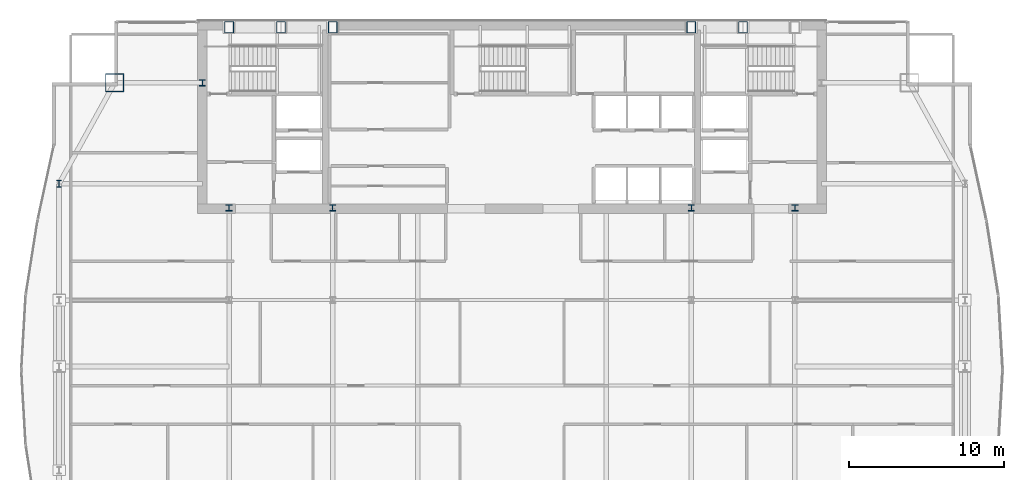
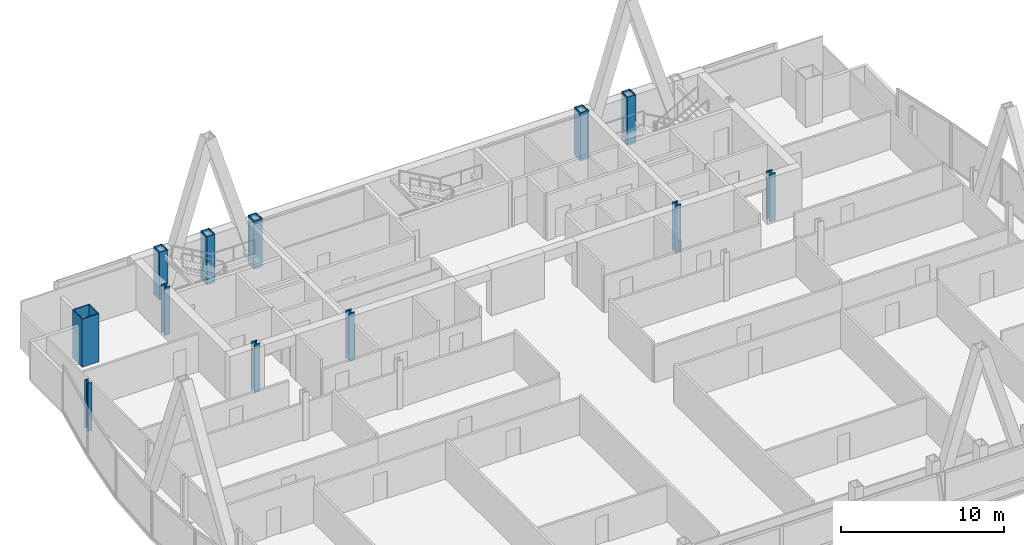
# One storey, part 3 of 33: 12 columns.
"""IFC4 building model written with IfcOpenShell, lengths in metres."""

from ifc_helpers import new_model, si_unit, direction, frame, origin, origin_2d, place, context, subcontext, project, spatial, hollow_rectangle, i_section, extrude, material, material_profile, profile_set, type_object, element, save


model = new_model("IFC4")

# Units and contexts
model_context = context("Model", 3, precision=1e-05, world=origin(), true_north=direction((0.0, 1.0)))
body_context = subcontext(model_context, "Body", "Model", "MODEL_VIEW")
ifc_project = project(units=[si_unit("LENGTHUNIT", "METRE"), si_unit("AREAUNIT", "SQUARE_METRE"), si_unit("VOLUMEUNIT", "CUBIC_METRE"), si_unit("PLANEANGLEUNIT", "RADIAN"), si_unit("MASSUNIT", "GRAM", prefix="KILO")], contexts=[model_context])

# Site, building, storey
site_placement = place(None, origin())
site = spatial("IfcSite", under=ifc_project, at=site_placement, CompositionType="ELEMENT")
building_placement = place(site_placement, origin())
building = spatial("IfcBuilding", under=site, at=building_placement, Name="Khoronbel Lancet Exchange", CompositionType="ELEMENT")
storey_placement = place(building_placement, frame((0.0, 0.0, 210.199951171875)))
storey = spatial("IfcBuildingStorey", under=building, at=storey_placement, Name="L53", CompositionType="ELEMENT", Elevation=210.199951171875)

# Columns
ifc_material_1 = material(Name="Steel S460", Category="steel")
ifc_material_profile_1 = material_profile(ifc_material_1, hollow_rectangle(XDim=0.60009765625, YDim=0.75, WallThickness=0.044921875, at=origin_2d()), Name="BOX 750x600x45")
ifc_profile_set_1 = profile_set([ifc_material_profile_1], Name="Steel S460")
column_type_1 = type_object("IfcColumnType", Name="COL-EC3", PredefinedType="COLUMN", material=ifc_profile_set_1)
for number, where, z_axis, x_axis, name in (
    (1, (18.22509765625, 53.280029296875, 0.0), (0.0, 0.0, 1.0), (1.0, 0.0, 0.0), "Structural column NC-W1 L53"),
    (2, (21.5625, 53.280029296875, 0.0), (0.0, 0.0, 1.0), (1.0, 0.0, 0.0), "Structural column NC-WM L53"),
    (3, (24.89990234375, 53.280029296875, 0.0), (0.0, 0.0, 1.0), (1.0, 0.0, 0.0), "Structural column NC-W2 L53"),
    (4, (48.0, 53.280029296875, 0.0), (0.0, 0.0, 1.0), (1.0, 0.0, 0.0), "Structural column NC-E1 L53"),
    (5, (51.33740234375, 53.280029296875, 0.0), (0.0, 0.0, 1.0), (1.0, 0.0, 0.0), "Structural column NC-EM L53"),
):
    element("IfcColumn", number, at=place(storey_placement, frame(where, z_axis=z_axis, x_axis=x_axis)), inside=storey, type_object=column_type_1, Name=name, PredefinedType="COLUMN", context=body_context, shape_type="SweptSolid", body=[
        extrude(hollow_rectangle(XDim=0.60009765625, YDim=0.75, WallThickness=0.044921875, at=origin_2d()), origin(), (0.0, 0.0, 1.0), 3.60009765625),
    ])
ifc_material_2 = material(Name="Steel S355", Category="steel")
ifc_material_profile_2 = material_profile(ifc_material_2, i_section(OverallWidth=0.406005859375, OverallDepth=0.416015625, WebThickness=0.02978515625, FlangeThickness=0.048095703125, at=origin_2d()), Name="HD 400x382")
ifc_profile_set_2 = profile_set([ifc_material_profile_2], Name="Steel S355")
column_type_2 = type_object("IfcColumnType", Name="COL-IC3", PredefinedType="COLUMN", material=ifc_profile_set_2)
for number, where, z_axis, x_axis, name in (
    (6, (16.5, 49.699951171875, 0.0), (0.0, 0.0, 1.0), (1.0, 0.0, 0.0), "Core-flank plumb transfer column CFW L53"),
    (7, (18.22509765625, 41.64990234375, 0.0), (0.0, 0.0, 1.0), (1.0, 0.0, 0.0), "Core-embedded steel column CTC1 L53"),
    (8, (24.89990234375, 41.64990234375, 0.0), (0.0, 0.0, 1.0), (1.0, 0.0, 0.0), "Core-embedded steel column CTC2 L53"),
    (9, (48.0, 41.64990234375, 0.0), (0.0, 0.0, 1.0), (1.0, 0.0, 0.0), "Core-embedded steel column CTC3 L53"),
    (10, (54.675048828125, 41.64990234375, 0.0), (0.0, 0.0, 1.0), (1.0, 0.0, 0.0), "Core-embedded steel column CTC4 L53"),
):
    element("IfcColumn", number, at=place(storey_placement, frame(where, z_axis=z_axis, x_axis=x_axis)), inside=storey, type_object=column_type_2, Name=name, PredefinedType="COLUMN", context=body_context, shape_type="SweptSolid", body=[
        extrude(i_section(OverallWidth=0.406005859375, OverallDepth=0.416015625, WebThickness=0.02978515625, FlangeThickness=0.048095703125, at=origin_2d()), origin(), (0.0, 0.0, 1.0), 3.60009765625),
    ])
ifc_material_profile_3 = material_profile(ifc_material_2, i_section(OverallWidth=0.300048828125, OverallDepth=0.449951171875, WebThickness=0.013916015625, FlangeThickness=0.02587890625, at=origin_2d()), Name="HEB 450")
ifc_profile_set_3 = profile_set([ifc_material_profile_3], Name="Steel S355")
column_type_3 = type_object("IfcColumnType", Name="COL-LC2", PredefinedType="COLUMN", material=ifc_profile_set_3)
column_1_placement = place(storey_placement, frame((7.27001953125, 43.199951171875, 0.0), z_axis=(0.0, 0.0, 1.0), x_axis=(1.0, 0.0, 0.0)))
element("IfcColumn", 11, at=column_1_placement, inside=storey, type_object=column_type_3, Name="Structural column WC-4 L53", PredefinedType="COLUMN", context=body_context, shape_type="SweptSolid", body=[
    extrude(i_section(OverallWidth=0.300048828125, OverallDepth=0.449951171875, WebThickness=0.013916015625, FlangeThickness=0.02587890625, at=origin_2d()), origin(), (0.0, 0.0, 1.0), 3.60009765625),
])
ifc_material_profile_4 = material_profile(ifc_material_1, hollow_rectangle(XDim=1.199951171875, YDim=1.199951171875, WallThickness=0.06005859375, at=origin_2d()), Name="BOX 1200x1200x60")
ifc_profile_set_4 = profile_set([ifc_material_profile_4], Name="Steel S460")
column_type_4 = type_object("IfcColumnType", Name="COL-MC5", PredefinedType="COLUMN", material=ifc_profile_set_4)
column_2_placement = place(storey_placement, frame((10.85009765625, 49.699951171875, 0.0), z_axis=(0.0, 0.0, 1.0), x_axis=(1.0, 0.0, 0.0)))
element("IfcColumn", 12, at=column_2_placement, inside=storey, type_object=column_type_4, Name="Structural column MC-NW L53", PredefinedType="COLUMN", context=body_context, shape_type="SweptSolid", body=[
    extrude(hollow_rectangle(XDim=1.199951171875, YDim=1.199951171875, WallThickness=0.06005859375, at=origin_2d()), origin(), (0.0, 0.0, 1.0), 3.60009765625),
])

save(model, "model.ifc")
